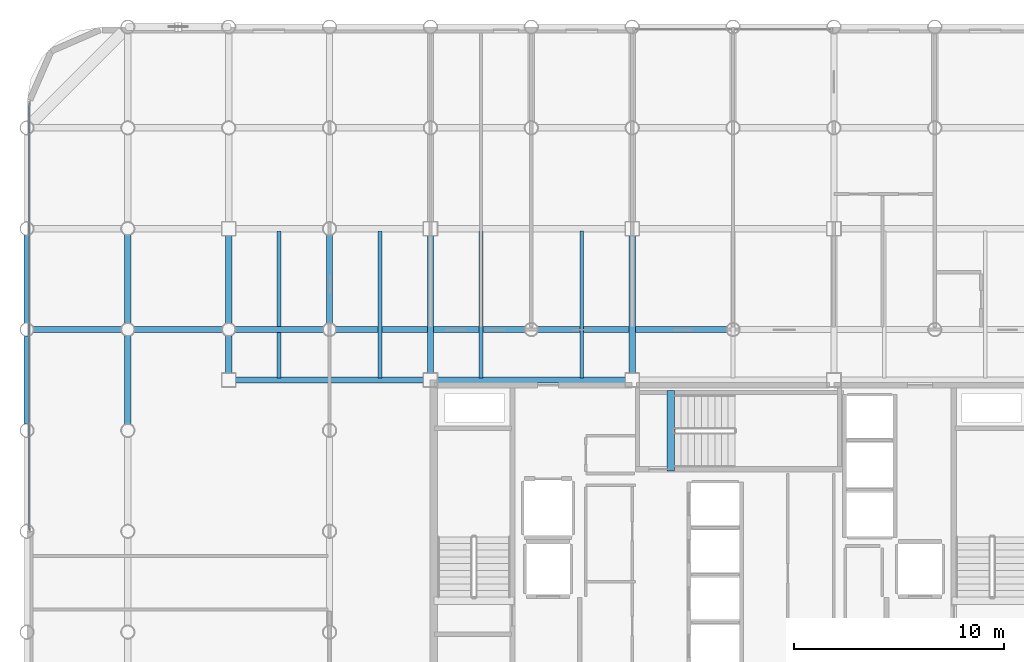
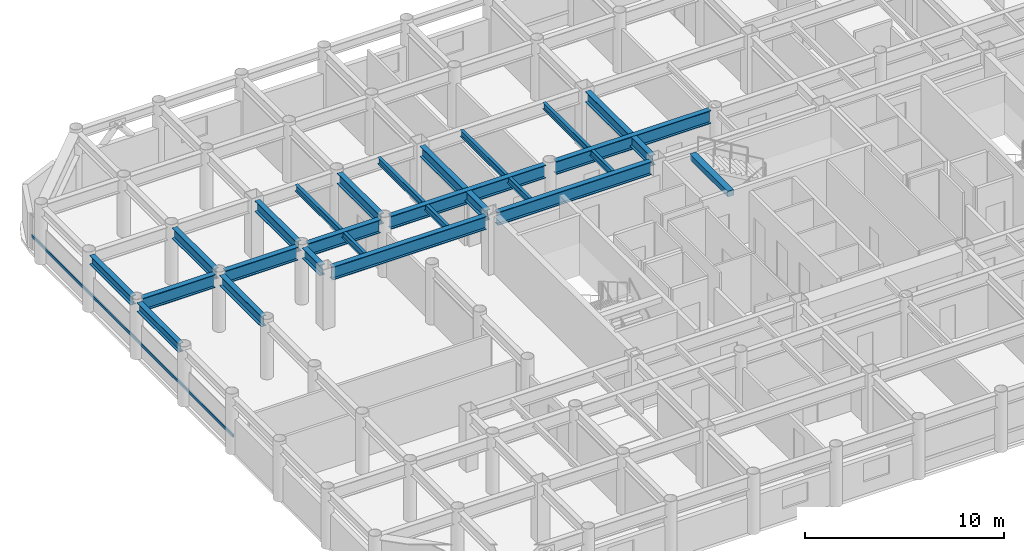
# One storey, part 5 of 21: 21 beams, 1 member, 1 element without a shape of its own.
"""IFC4 building model written with IfcOpenShell, lengths in metres."""

from ifc_helpers import new_model, si_unit, direction, frame, origin, origin_2d, place, context, subcontext, project, spatial, rectangle, hollow_rectangle, i_section, extrude, material, layer, layer_set, material_profile, profile_set, type_object, element, aggregate, save


model = new_model("IFC4")

# Units and contexts
model_context = context("Model", 3, precision=1e-05, world=origin(), true_north=direction((0.0, 1.0)))
body_context = subcontext(model_context, "Body", "Model", "MODEL_VIEW")
ifc_project = project(units=[si_unit("LENGTHUNIT", "METRE"), si_unit("AREAUNIT", "SQUARE_METRE"), si_unit("VOLUMEUNIT", "CUBIC_METRE"), si_unit("PLANEANGLEUNIT", "RADIAN"), si_unit("MASSUNIT", "GRAM", prefix="KILO")], contexts=[model_context])

# Site, building, storey
site_placement = place(None, origin())
site = spatial("IfcSite", under=ifc_project, at=site_placement, CompositionType="ELEMENT")
building_placement = place(site_placement, origin())
building = spatial("IfcBuilding", under=site, at=building_placement, Name="Kallvorn Hotel Tower", CompositionType="ELEMENT")
storey_placement = place(building_placement, frame((0.0, 0.0, 139.60009765625)))
storey = spatial("IfcBuildingStorey", under=building, at=storey_placement, Name="L34", CompositionType="ELEMENT", Elevation=139.60009765625)

# Beams
ifc_material_1 = material(Name="Structural steel S355JR", Category="steel")
ifc_material_profile_1 = material_profile(ifc_material_1, i_section(OverallWidth=0.300048828125, OverallDepth=0.550048828125, WebThickness=0.014892578125, FlangeThickness=0.029052734375, at=origin_2d()), Name="HE 550 B")
ifc_profile_set_1 = profile_set([ifc_material_profile_1], Name="Structural steel S355JR")
beam_type_1 = type_object("IfcBeamType", Name="BM_HE550B", PredefinedType="SPANDREL", material=ifc_profile_set_1)
beam_1_placement = place(storey_placement, frame((-33.60009765625, 5.1201171875, 3.244873046875), z_axis=(0.0, 1.0, 0.0), x_axis=(-1.0, 0.0, 0.0)))
element("IfcBeam", 1, at=beam_1_placement, inside=storey, type_object=beam_type_1, Name="L35 Perimeter Spandrel 178", PredefinedType="SPANDREL", context=body_context, shape_type="SweptSolid", body=[
    extrude(i_section(OverallWidth=0.300048828125, OverallDepth=0.550048828125, WebThickness=0.014892578125, FlangeThickness=0.029052734375, at=origin_2d()), origin(), (0.0, 0.0, 1.0), 4.159912109375),
])
beam_2_placement = place(storey_placement, frame((-33.60009765625, 9.919921875, 3.244873046875), z_axis=(0.0, 1.0, 0.0), x_axis=(-1.0, 0.0, 0.0)))
element("IfcBeam", 2, at=beam_2_placement, inside=storey, type_object=beam_type_1, Name="L35 Perimeter Spandrel 179", PredefinedType="SPANDREL", context=body_context, shape_type="SweptSolid", body=[
    extrude(i_section(OverallWidth=0.300048828125, OverallDepth=0.550048828125, WebThickness=0.014892578125, FlangeThickness=0.029052734375, at=origin_2d()), origin(), (0.0, 0.0, 1.0), 4.16015625),
])
ifc_material_2 = material(Name="Structural steel S355JR", Category="steel")
ifc_material_profile_2 = material_profile(ifc_material_2, i_section(OverallWidth=0.300048828125, OverallDepth=0.64990234375, WebThickness=0.01611328125, FlangeThickness=0.031005859375, at=origin_2d()), Name="HE 650 B")
ifc_profile_set_2 = profile_set([ifc_material_profile_2], Name="Structural steel S355JR")
beam_type_2 = type_object("IfcBeamType", Name="BM_HE650B", PredefinedType="BEAM", material=ifc_profile_set_2)
for number, where, z_axis, x_axis, name in (
    (3, (-28.800048828125, 5.10498046875, 3.19482421875), (0.0, 1.0, 0.0), (-1.0, 0.0, 0.0), "L35 Primary Y-Girder 78"),
    (4, (-28.800048828125, 9.905029296875, 3.19482421875), (0.0, 1.0, 0.0), (-1.0, 0.0, 0.0), "L35 Primary Y-Girder 79"),
):
    element("IfcBeam", number, at=place(storey_placement, frame(where, z_axis=z_axis, x_axis=x_axis)), inside=storey, type_object=beam_type_2, Name=name, PredefinedType="BEAM", context=body_context, shape_type="SweptSolid", body=[
        extrude(i_section(OverallWidth=0.300048828125, OverallDepth=0.64990234375, WebThickness=0.01611328125, FlangeThickness=0.031005859375, at=origin_2d()), origin(), (0.0, 0.0, 1.0), 4.18994140625),
    ])
beam_3_placement = place(storey_placement, frame((-24.0, 7.52490234375, 3.19482421875), z_axis=(0.0, 1.0, 0.0), x_axis=(-1.0, 0.0, 0.0)))
element("IfcBeam", 5, at=beam_3_placement, inside=storey, type_object=beam_type_2, Name="L35 Primary Y-Girder 85", PredefinedType="BEAM", context=body_context, shape_type="SweptSolid", body=[
    extrude(i_section(OverallWidth=0.300048828125, OverallDepth=0.64990234375, WebThickness=0.01611328125, FlangeThickness=0.031005859375, at=origin_2d()), origin(), (0.0, 0.0, 1.0), 1.77001953125),
])
beam_4_placement = place(storey_placement, frame((-24.0, 9.905029296875, 3.19482421875), z_axis=(0.0, 1.0, 0.0), x_axis=(-1.0, 0.0, 0.0)))
element("IfcBeam", 6, at=beam_4_placement, inside=storey, type_object=beam_type_2, Name="L35 Primary Y-Girder 86", PredefinedType="BEAM", context=body_context, shape_type="SweptSolid", body=[
    extrude(i_section(OverallWidth=0.300048828125, OverallDepth=0.64990234375, WebThickness=0.01611328125, FlangeThickness=0.031005859375, at=origin_2d()), origin(), (0.0, 0.0, 1.0), 4.169921875),
])
beam_5_placement = place(storey_placement, frame((-19.199951171875, 9.905029296875, 3.19482421875), z_axis=(0.0, 1.0, 0.0), x_axis=(-1.0, 0.0, 0.0)))
element("IfcBeam", 7, at=beam_5_placement, inside=storey, type_object=beam_type_2, Name="L35 Primary Y-Girder 95", PredefinedType="BEAM", context=body_context, shape_type="SweptSolid", body=[
    extrude(i_section(OverallWidth=0.300048828125, OverallDepth=0.64990234375, WebThickness=0.01611328125, FlangeThickness=0.031005859375, at=origin_2d()), origin(), (0.0, 0.0, 1.0), 4.18994140625),
])
for number, where, z_axis, x_axis, name in (
    (8, (-14.39990234375, 7.52490234375, 3.19482421875), (0.0, 1.0, 0.0), (-1.0, 0.0, 0.0), "L35 Primary Y-Girder 100"),
    (9, (-4.800048828125, 7.52490234375, 3.19482421875), (0.0, 1.0, 0.0), (-1.0, 0.0, 0.0), "L35 Primary Y-Girder 108"),
):
    element("IfcBeam", number, at=place(storey_placement, frame(where, z_axis=z_axis, x_axis=x_axis)), inside=storey, type_object=beam_type_2, Name=name, PredefinedType="BEAM", context=body_context, shape_type="SweptSolid", body=[
        extrude(i_section(OverallWidth=0.300048828125, OverallDepth=0.64990234375, WebThickness=0.01611328125, FlangeThickness=0.031005859375, at=origin_2d()), origin(), (0.0, 0.0, 1.0), 6.550048828125),
    ])
ifc_material_3 = material(Name="Structural steel S355JR", Category="steel")
ifc_material_profile_3 = material_profile(ifc_material_3, i_section(OverallWidth=0.300048828125, OverallDepth=0.800048828125, WebThickness=0.017578125, FlangeThickness=0.032958984375, at=origin_2d()), Name="HE 800 B")
ifc_profile_set_3 = profile_set([ifc_material_profile_3], Name="Structural steel S355JR")
beam_type_3 = type_object("IfcBeamType", Name="BM_HE800B", PredefinedType="BEAM", material=ifc_profile_set_3)
for number, where, z_axis, x_axis, name in (
    (10, (-23.675048828125, 7.199951171875, 3.119873046875), (1.0, 0.0, 0.0), (0.0, 1.0, 0.0), "L35 Primary X-Girder 36"),
    (11, (-14.074951171875, 7.199951171875, 3.119873046875), (1.0, 0.0, 0.0), (0.0, 1.0, 0.0), "L35 Primary X-Girder 37"),
):
    element("IfcBeam", number, at=place(storey_placement, frame(where, z_axis=z_axis, x_axis=x_axis)), inside=storey, type_object=beam_type_3, Name=name, PredefinedType="BEAM", context=body_context, shape_type="SweptSolid", body=[
        extrude(i_section(OverallWidth=0.300048828125, OverallDepth=0.800048828125, WebThickness=0.017578125, FlangeThickness=0.032958984375, at=origin_2d()), origin(), (0.0, 0.0, 1.0), 8.949951171875),
    ])
beam_6_placement = place(storey_placement, frame((-33.294921875, 9.60009765625, 3.119873046875), z_axis=(1.0, 0.0, 0.0), x_axis=(0.0, 1.0, 0.0)))
element("IfcBeam", 12, at=beam_6_placement, inside=storey, type_object=beam_type_3, Name="L35 Primary X-Girder 41", PredefinedType="BEAM", context=body_context, shape_type="SweptSolid", body=[
    extrude(i_section(OverallWidth=0.300048828125, OverallDepth=0.800048828125, WebThickness=0.017578125, FlangeThickness=0.032958984375, at=origin_2d()), origin(), (0.0, 0.0, 1.0), 4.18994140625),
])
for number, where, z_axis, x_axis, name in (
    (13, (-28.4951171875, 9.60009765625, 3.119873046875), (1.0, 0.0, 0.0), (0.0, 1.0, 0.0), "L35 Primary X-Girder 42"),
    (14, (-23.695068359375, 9.60009765625, 3.119873046875), (1.0, 0.0, 0.0), (0.0, 1.0, 0.0), "L35 Primary X-Girder 43"),
):
    element("IfcBeam", number, at=place(storey_placement, frame(where, z_axis=z_axis, x_axis=x_axis)), inside=storey, type_object=beam_type_3, Name=name, PredefinedType="BEAM", context=body_context, shape_type="SweptSolid", body=[
        extrude(i_section(OverallWidth=0.300048828125, OverallDepth=0.800048828125, WebThickness=0.017578125, FlangeThickness=0.032958984375, at=origin_2d()), origin(), (0.0, 0.0, 1.0), 4.190185546875),
    ])
for number, where, z_axis, x_axis, name in (
    (15, (-18.89501953125, 9.60009765625, 3.119873046875), (1.0, 0.0, 0.0), (0.0, 1.0, 0.0), "L35 Primary X-Girder 44"),
    (16, (-9.294921875, 9.60009765625, 3.119873046875), (1.0, 0.0, 0.0), (0.0, 1.0, 0.0), "L35 Primary X-Girder 45"),
):
    element("IfcBeam", number, at=place(storey_placement, frame(where, z_axis=z_axis, x_axis=x_axis)), inside=storey, type_object=beam_type_3, Name=name, PredefinedType="BEAM", context=body_context, shape_type="SweptSolid", body=[
        extrude(i_section(OverallWidth=0.300048828125, OverallDepth=0.800048828125, WebThickness=0.017578125, FlangeThickness=0.032958984375, at=origin_2d()), origin(), (0.0, 0.0, 1.0), 8.989990234375),
    ])
ifc_material_4 = material(Name="Structural steel S355JR", Category="steel")
ifc_material_profile_4 = material_profile(ifc_material_4, i_section(OverallWidth=0.179931640625, OverallDepth=0.39990234375, WebThickness=0.008544921875, FlangeThickness=0.013427734375, at=origin_2d()), Name="IPE 400")
ifc_profile_set_4 = profile_set([ifc_material_profile_4], Name="Structural steel S355JR")
beam_type_4 = type_object("IfcBeamType", Name="BM_IPE400", PredefinedType="JOIST", material=ifc_profile_set_4)
for number, where, z_axis, x_axis, name in (
    (17, (-21.60009765625, 7.300048828125, 3.31982421875), (0.0, 1.0, 0.0), (-1.0, 0.0, 0.0), "L35 Secondary Composite Joist 193"),
    (18, (-16.800048828125, 7.300048828125, 3.31982421875), (0.0, 1.0, 0.0), (-1.0, 0.0, 0.0), "L35 Secondary Composite Joist 195"),
    (19, (-12.0, 7.300048828125, 3.31982421875), (0.0, 1.0, 0.0), (-1.0, 0.0, 0.0), "L35 Secondary Composite Joist 197"),
    (20, (-7.199951171875, 7.300048828125, 3.31982421875), (0.0, 1.0, 0.0), (-1.0, 0.0, 0.0), "L35 Secondary Composite Joist 199"),
):
    element("IfcBeam", number, at=place(storey_placement, frame(where, z_axis=z_axis, x_axis=x_axis)), inside=storey, type_object=beam_type_4, Name=name, PredefinedType="JOIST", context=body_context, shape_type="SweptSolid", body=[
        extrude(i_section(OverallWidth=0.179931640625, OverallDepth=0.39990234375, WebThickness=0.008544921875, FlangeThickness=0.013427734375, at=origin_2d()), origin(), (0.0, 0.0, 1.0), 7.0),
    ])
ifc_material_5 = material(Name="Concrete C50/60", Category="concrete")
ifc_material_profile_5 = material_profile(ifc_material_5, rectangle(XDim=0.360107421875, YDim=0.340087890625, at=origin_2d()), Name="RC 360x340")
ifc_profile_set_5 = profile_set([ifc_material_profile_5], Name="Concrete C50/60")
beam_type_5 = type_object("IfcBeamType", Name="BM_RC_400x360", PredefinedType="BEAM", material=ifc_profile_set_5)
beam_7_placement = place(storey_placement, frame((-2.9599609375, 2.8701171875, 3.349853515625), z_axis=(0.0, 1.0, 0.0), x_axis=(-1.0, 0.0, 0.0)))
element("IfcBeam", 21, at=beam_7_placement, inside=storey, type_object=beam_type_5, Name="L35 Stair ST3 Arrival Trimmer Beam", PredefinedType="BEAM", context=body_context, shape_type="SweptSolid", body=[
    extrude(rectangle(XDim=0.360107421875, YDim=0.340087890625, at=origin_2d()), origin(), (0.0, 0.0, 1.0), 3.81982421875),
])

# Curtain wall, member
ifc_material_6 = material(Name="Thermally broken black-anodised aluminium AA 6063-T6", Category="aluminium")
ifc_layer = layer(ifc_material_6, 0.2099609375)
ifc_layer_set = layer_set([ifc_layer], Name="CW_SYS_4_HOTEL_MID")
curtain_wall_type = type_object("IfcCurtainWallType", Name="CW_SYS_4_HOTEL_MID", PredefinedType="USERDEFINED", material=ifc_layer_set)
curtain_wall_placement = place(storey_placement, origin())
curtain_wall = element("IfcCurtainWall", 22, at=curtain_wall_placement, inside=storey, type_object=curtain_wall_type, Name="L34 Dark-Glass Curtain Wall CW-L34-WN", ObjectType="UNITISED CURTAIN WALL", PredefinedType="USERDEFINED")
ifc_material_7 = material(Name="Thermally broken black-anodised aluminium AA 6063-T6", Category="aluminium")
ifc_material_profile_6 = material_profile(ifc_material_7, hollow_rectangle(XDim=0.070068359375, YDim=0.179931640625, WallThickness=0.00390625, at=origin_2d()), Name="TRN 180x70")
ifc_profile_set_6 = profile_set([ifc_material_profile_6], Name="Thermally broken black-anodised aluminium AA 6063-T6")
member_type = type_object("IfcMemberType", Name="CW_TRANSOM_180x70", PredefinedType="USERDEFINED", material=ifc_profile_set_6)
member_placement = place(storey_placement, frame((-33.47998046875, 0.06005859375, 0.849853515625), z_axis=(0.0, 1.0, 0.0), x_axis=(-1.0, 0.0, 0.0)))
member = element("IfcMember", 23, at=member_placement, type_object=member_type, Name="CW-L34-WN Transom 00M", ObjectType="TRANSOM", PredefinedType="USERDEFINED", context=body_context, shape_type="SweptSolid", body=[
    extrude(hollow_rectangle(XDim=0.070068359375, YDim=0.179931640625, WallThickness=0.00390625, at=origin_2d()), origin(), (0.0, 0.0, 1.0), 20.300048828125),
])
aggregate(curtain_wall, [member])

save(model, "model.ifc")
